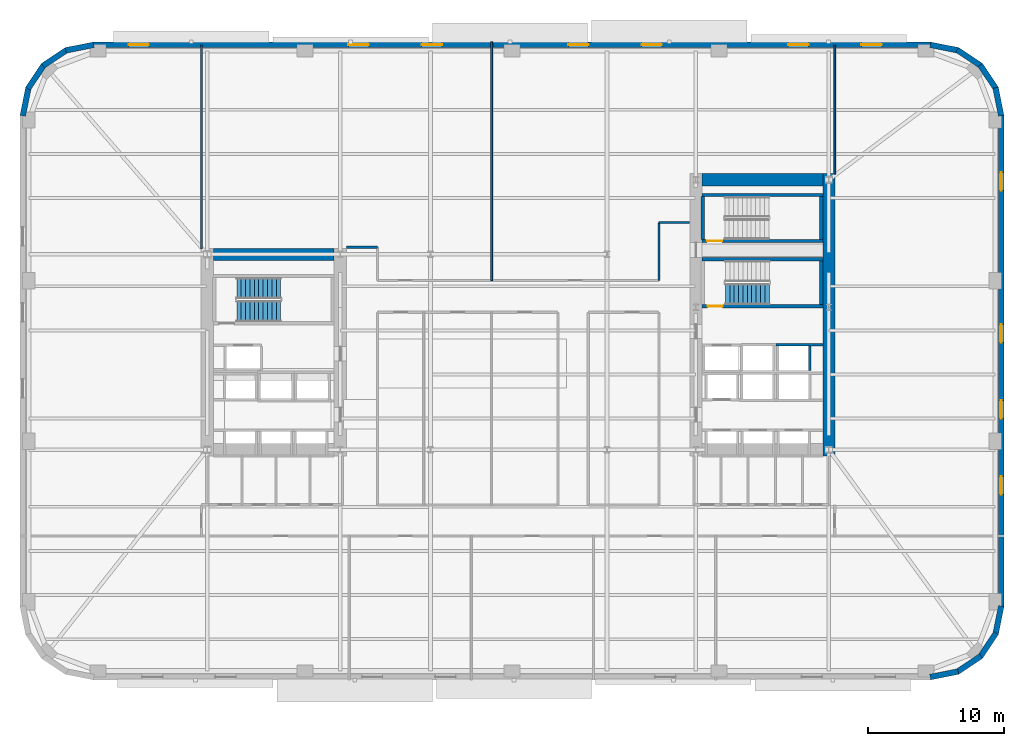
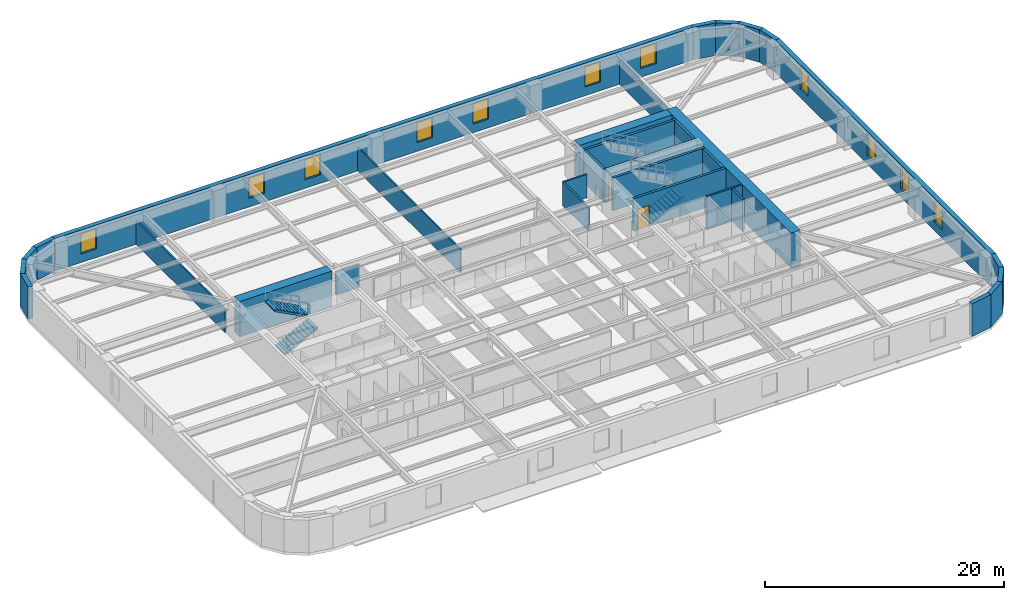
# One storey, part 7 of 14: 32 walls, 11 windows, 3 stair flights, 2 doors, 13 openings, 2 elements without a shape of their own.
"""IFC4 building model written with IfcOpenShell, lengths in metres."""

from ifc_helpers import new_model, si_unit, direction, frame, frame_2d, origin, place, context, subcontext, project, spatial, polyline, rectangle, outline, extrude, material, layer, layer_set, type_object, element, fill, aggregate, save


model = new_model("IFC4")

# Units and contexts
model_context = context("Model", 3, precision=1e-05, world=origin(), true_north=direction((0.0, 1.0)))
body_context = subcontext(model_context, "Body", "Model", "MODEL_VIEW")
ifc_project = project(units=[si_unit("LENGTHUNIT", "METRE"), si_unit("AREAUNIT", "SQUARE_METRE"), si_unit("VOLUMEUNIT", "CUBIC_METRE"), si_unit("PLANEANGLEUNIT", "RADIAN"), si_unit("MASSUNIT", "GRAM", prefix="KILO")], contexts=[model_context])

# Site, building, storey
site_placement = place(None, origin())
site = spatial("IfcSite", under=ifc_project, at=site_placement, CompositionType="ELEMENT")
building_placement = place(site_placement, origin())
building = spatial("IfcBuilding", under=site, at=building_placement, Name="Kolvaren Arena Tower", CompositionType="ELEMENT")
storey_placement = place(building_placement, frame((0.0, 0.0, 90.75)))
storey = spatial("IfcBuildingStorey", under=building, at=storey_placement, Name="L20", CompositionType="ELEMENT", Elevation=90.75)

# Walls
ifc_material_1 = material(Name="Gypsum board acoustic assembly", Category="gypsum")
ifc_layer_1 = layer(ifc_material_1, 0.159912109375)
ifc_layer_set_1 = layer_set([ifc_layer_1], Name="Gypsum board acoustic assembly")
wall_type_1 = type_object("IfcWallType", Name="CORR-160", PredefinedType="PARTITIONING", material=ifc_layer_set_1)
wall_1_placement = place(storey_placement, frame((24.820068359375, 34.3798828125, 0.0), z_axis=(0.0, 0.0, 1.0), x_axis=(1.0, 0.0, 0.0)))
element("IfcWall", 1, at=wall_1_placement, inside=storey, type_object=wall_type_1, Name="Interior Partition Wall (L20)", PredefinedType="PARTITIONING", context=body_context, shape_type="SweptSolid", body=[
    extrude(rectangle(XDim=2.260009765625, YDim=0.159912109375, at=frame_2d((1.1298828125, 0.0))), origin(), (0.0, 0.0, 1.0), 2.389892578125),
])
wall_2_placement = place(storey_placement, frame((47.820068359375, 31.919921875, 0.0), z_axis=(0.0, 0.0, 1.0), x_axis=(0.0, 1.0, 0.0)))
element("IfcWall", 2, at=wall_2_placement, inside=storey, type_object=wall_type_1, Name="Interior Partition Wall (L20)", PredefinedType="PARTITIONING", context=body_context, shape_type="SweptSolid", body=[
    extrude(rectangle(XDim=4.280029296875, YDim=0.159912109375, at=frame_2d((2.14013671875, 0.0))), origin(), (0.0, 0.0, 1.0), 2.389892578125),
])
wall_3_placement = place(storey_placement, frame((47.820068359375, 36.199951171875, 0.0), z_axis=(0.0, 0.0, 1.0), x_axis=(1.0, 0.0, 0.0)))
element("IfcWall", 3, at=wall_3_placement, inside=storey, type_object=wall_type_1, Name="Interior Partition Wall (L20)", PredefinedType="PARTITIONING", context=body_context, shape_type="SweptSolid", body=[
    extrude(rectangle(XDim=2.260009765625, YDim=0.159912109375, at=frame_2d((1.1298828125, 0.0))), origin(), (0.0, 0.0, 1.0), 2.389892578125),
])
ifc_material_2 = material(Name="Concrete 80 MPa", Category="concrete")
ifc_layer_2 = layer(ifc_material_2, 0.89990234375)
ifc_layer_set_2 = layer_set([ifc_layer_2], Name="Concrete 80 MPa")
wall_type_2 = type_object("IfcWallType", Name="CWALL-900", PredefinedType="SHEAR", material=ifc_layer_set_2)
wall_4_placement = place(storey_placement, frame((15.0, 33.85009765625, -0.27001953125), z_axis=(0.0, 0.0, 1.0), x_axis=(1.0, 0.0, 0.0)))
element("IfcWall", 4, at=wall_4_placement, inside=storey, type_object=wall_type_2, Name="Core Shear Wall WC-NORTH (L20)", PredefinedType="SHEAR", context=body_context, shape_type="SweptSolid", body=[
    extrude(rectangle(XDim=8.89990234375, YDim=0.89990234375, at=frame_2d((4.449951171875, 0.0))), origin(), (0.0, 0.0, 1.0), 3.60009765625),
])
wall_5_placement = place(storey_placement, frame((60.35009765625, 19.0, -0.27001953125), z_axis=(0.0, 0.0, 1.0), x_axis=(0.0, 1.0, 0.0)))
element("IfcWall", 5, at=wall_5_placement, inside=storey, type_object=wall_type_2, Name="Core Shear Wall EC-EAST (L20)", PredefinedType="SHEAR", context=body_context, shape_type="SweptSolid", body=[
    extrude(rectangle(XDim=20.800048828125, YDim=0.89990234375, at=frame_2d((10.39990234375, 0.0))), origin(), (0.0, 0.0, 1.0), 3.60009765625),
])
wall_6_placement = place(storey_placement, frame((51.0, 39.35009765625, -0.27001953125), z_axis=(0.0, 0.0, 1.0), x_axis=(1.0, 0.0, 0.0)))
element("IfcWall", 6, at=wall_6_placement, inside=storey, type_object=wall_type_2, Name="Core Shear Wall EC-NORTH (L20)", PredefinedType="SHEAR", context=body_context, shape_type="SweptSolid", body=[
    extrude(rectangle(XDim=8.89990234375, YDim=0.89990234375, at=frame_2d((4.449951171875, 0.0))), origin(), (0.0, 0.0, 1.0), 3.60009765625),
])
ifc_material_3 = material(Name="Precast concrete C50/60", Category="concrete")
ifc_layer_3 = layer(ifc_material_3, 0.419921875)
ifc_layer_set_3 = layer_set([ifc_layer_3], Name="Precast concrete C50/60")
wall_type_3 = type_object("IfcWallType", Name="EXT-PIER1", PredefinedType="SOLIDWALL", material=ifc_layer_set_3)
for number, where, z_axis, x_axis, name in (
    (7, (69.87548828125, 3.1171875, 0.0), (0.0, 0.0, 1.0), (-0.9807762837, -0.195135546048, 0.0), "Exterior Precast Masonry-Frame Wall (L20)"),
    (8, (71.5517578125, 4.256103515625, 0.0), (0.0, 0.0, 1.0), (-0.831515102434, -0.555502146192, 0.0), "Exterior Precast Masonry-Frame Wall (L20)"),
    (9, (72.664306640625, 5.9501953125, 0.0), (0.0, 0.0, 1.0), (-0.555502146192, -0.831515102434, 0.0), "Exterior Precast Masonry-Frame Wall (L20)"),
    (10, (73.0439453125, 7.94091796875, 0.0), (0.0, 0.0, 1.0), (-0.195135546048, -0.9807762837, 0.0), "Exterior Precast Masonry-Frame Wall (L20)"),
):
    element("IfcWall", number, at=place(storey_placement, frame(where, z_axis=z_axis, x_axis=x_axis)), inside=storey, type_object=wall_type_3, Name=name, PredefinedType="SOLIDWALL", context=body_context, shape_type="SweptSolid", body=[
        extrude(rectangle(XDim=2.10693359375, YDim=0.419921875, at=frame_2d((1.053466796875, 0.0))), origin(), (0.0, 0.0, 1.0), 3.330078125),
    ])

# Wall, openings, windows
wall_7_placement = place(storey_placement, frame((73.0400390625, 44.10009765625, 0.0), z_axis=(0.0, 0.0, 1.0), x_axis=(0.0, -1.0, 0.0)))
wall_7 = element("IfcWall", 11, at=wall_7_placement, inside=storey, type_object=wall_type_3, Name="Exterior Precast Masonry-Frame Wall (L20)", PredefinedType="SOLIDWALL", context=body_context, shape_type="SweptSolid", body=[
    extrude(rectangle(XDim=36.2001953125, YDim=0.419921875, at=frame_2d((18.10009765625, 0.0))), origin(), (0.0, 0.0, 1.0), 3.330078125),
])
opening_1_placement = place(wall_7_placement, frame((4.199951171875, 0.0, 0.8798828125)))
opening_1 = element("IfcOpeningElement", 12, at=opening_1_placement, cuts=wall_7, Name="Opening W04", PredefinedType="OPENING", context=body_context, shape_type="SweptSolid", body=[
    extrude(rectangle(XDim=1.35009765625, YDim=2.199951171875, at=frame_2d((0.675048828125, 1.10009765625))), frame((0.0, 0.219970703125, 0.0), z_axis=(0.0, -1.0, 0.0), x_axis=(1.0, 0.0, 0.0)), (0.0, 0.0, 1.0), 0.43994140625),
])
opening_2_placement = place(wall_7_placement, frame((15.39990234375, 0.0, 0.8798828125)))
opening_2 = element("IfcOpeningElement", 13, at=opening_2_placement, cuts=wall_7, Name="Opening W04", PredefinedType="OPENING", context=body_context, shape_type="SweptSolid", body=[
    extrude(rectangle(XDim=1.35009765625, YDim=2.199951171875, at=frame_2d((0.675048828125, 1.10009765625))), frame((0.0, 0.219970703125, 0.0), z_axis=(0.0, -1.0, 0.0), x_axis=(1.0, 0.0, 0.0)), (0.0, 0.0, 1.0), 0.43994140625),
])
opening_3_placement = place(wall_7_placement, frame((21.0, 0.0, 0.8798828125)))
opening_3 = element("IfcOpeningElement", 14, at=opening_3_placement, cuts=wall_7, Name="Opening W04", PredefinedType="OPENING", context=body_context, shape_type="SweptSolid", body=[
    extrude(rectangle(XDim=1.35009765625, YDim=2.199951171875, at=frame_2d((0.675048828125, 1.10009765625))), frame((0.0, 0.219970703125, 0.0), z_axis=(0.0, -1.0, 0.0), x_axis=(1.0, 0.0, 0.0)), (0.0, 0.0, 1.0), 0.43994140625),
])
opening_4_placement = place(wall_7_placement, frame((26.60009765625, 0.0, 0.8798828125)))
opening_4 = element("IfcOpeningElement", 15, at=opening_4_placement, cuts=wall_7, Name="Opening W04", PredefinedType="OPENING", context=body_context, shape_type="SweptSolid", body=[
    extrude(rectangle(XDim=1.35009765625, YDim=2.199951171875, at=frame_2d((0.675048828125, 1.10009765625))), frame((0.0, 0.219970703125, 0.0), z_axis=(0.0, -1.0, 0.0), x_axis=(1.0, 0.0, 0.0)), (0.0, 0.0, 1.0), 0.43994140625),
])
ifc_material_4 = material(Name="Triple-glazed curved-facet corner window", Category="glass")
window_type_1 = type_object("IfcWindowType", Name="WIN-CRN-A", PartitioningType="SINGLE_PANEL", PredefinedType="WINDOW", material=ifc_material_4)
window_1_placement = place(opening_1_placement, origin())
window_1 = element("IfcWindow", 16, at=window_1_placement, inside=storey, type_object=window_type_1, Name="End-Wall Punched Window (L20)", OverallHeight=2.199951171875, OverallWidth=1.35009765625, PartitioningType="SINGLE_PANEL", PredefinedType="WINDOW", context=body_context, shape_type="SweptSolid", body=[
    extrude(rectangle(XDim=1.35009765625, YDim=2.199951171875, at=frame_2d((0.675048828125, 1.10009765625))), frame((0.0, 0.030029296875, 0.0), z_axis=(0.0, -1.0, 0.0), x_axis=(1.0, 0.0, 0.0)), (0.0, 0.0, 1.0), 0.06005859375),
])
fill(opening_1, window_1)
window_2_placement = place(opening_2_placement, origin())
window_2 = element("IfcWindow", 17, at=window_2_placement, inside=storey, type_object=window_type_1, Name="End-Wall Punched Window (L20)", OverallHeight=2.199951171875, OverallWidth=1.35009765625, PartitioningType="SINGLE_PANEL", PredefinedType="WINDOW", context=body_context, shape_type="SweptSolid", body=[
    extrude(rectangle(XDim=1.35009765625, YDim=2.199951171875, at=frame_2d((0.675048828125, 1.10009765625))), frame((0.0, 0.030029296875, 0.0), z_axis=(0.0, -1.0, 0.0), x_axis=(1.0, 0.0, 0.0)), (0.0, 0.0, 1.0), 0.06005859375),
])
fill(opening_2, window_2)
window_3_placement = place(opening_3_placement, origin())
window_3 = element("IfcWindow", 18, at=window_3_placement, inside=storey, type_object=window_type_1, Name="End-Wall Punched Window (L20)", OverallHeight=2.199951171875, OverallWidth=1.35009765625, PartitioningType="SINGLE_PANEL", PredefinedType="WINDOW", context=body_context, shape_type="SweptSolid", body=[
    extrude(rectangle(XDim=1.35009765625, YDim=2.199951171875, at=frame_2d((0.675048828125, 1.10009765625))), frame((0.0, 0.030029296875, 0.0), z_axis=(0.0, -1.0, 0.0), x_axis=(1.0, 0.0, 0.0)), (0.0, 0.0, 1.0), 0.06005859375),
])
fill(opening_3, window_3)
window_4_placement = place(opening_4_placement, origin())
window_4 = element("IfcWindow", 19, at=window_4_placement, inside=storey, type_object=window_type_1, Name="End-Wall Punched Window (L20)", OverallHeight=2.199951171875, OverallWidth=1.35009765625, PartitioningType="SINGLE_PANEL", PredefinedType="WINDOW", context=body_context, shape_type="SweptSolid", body=[
    extrude(rectangle(XDim=1.35009765625, YDim=2.199951171875, at=frame_2d((0.675048828125, 1.10009765625))), frame((0.0, 0.030029296875, 0.0), z_axis=(0.0, -1.0, 0.0), x_axis=(1.0, 0.0, 0.0)), (0.0, 0.0, 1.0), 0.06005859375),
])
fill(opening_4, window_4)

# Walls
for number, where, z_axis, x_axis, name in (
    (20, (72.6328125, 46.12548828125, 0.0), (0.0, 0.0, 1.0), (0.195135546048, -0.9807762837, 0.0), "Exterior Precast Masonry-Frame Wall (L20)"),
    (21, (71.493896484375, 47.8017578125, 0.0), (0.0, 0.0, 1.0), (0.555502146192, -0.831515102434, 0.0), "Exterior Precast Masonry-Frame Wall (L20)"),
    (22, (69.7998046875, 48.914306640625, 0.0), (0.0, 0.0, 1.0), (0.831515102434, -0.555502146192, 0.0), "Exterior Precast Masonry-Frame Wall (L20)"),
    (23, (67.80908203125, 49.2939453125, 0.0), (0.0, 0.0, 1.0), (0.9807762837, -0.195135546048, 0.0), "Exterior Precast Masonry-Frame Wall (L20)"),
):
    element("IfcWall", number, at=place(storey_placement, frame(where, z_axis=z_axis, x_axis=x_axis)), inside=storey, type_object=wall_type_3, Name=name, PredefinedType="SOLIDWALL", context=body_context, shape_type="SweptSolid", body=[
        extrude(rectangle(XDim=2.10693359375, YDim=0.419921875, at=frame_2d((1.053466796875, 0.0))), origin(), (0.0, 0.0, 1.0), 3.330078125),
    ])

# Wall, openings, windows
wall_8_placement = place(storey_placement, frame((6.14990234375, 49.2900390625, 0.0), z_axis=(0.0, 0.0, 1.0), x_axis=(1.0, 0.0, 0.0)))
wall_8 = element("IfcWall", 24, at=wall_8_placement, inside=storey, type_object=wall_type_3, Name="Exterior Precast Masonry-Frame Wall (L20)", PredefinedType="SOLIDWALL", context=body_context, shape_type="SweptSolid", body=[
    extrude(rectangle(XDim=61.7001953125, YDim=0.419921875, at=frame_2d((30.85009765625, 0.0))), origin(), (0.0, 0.0, 1.0), 3.330078125),
])
opening_5_placement = place(wall_8_placement, frame((2.60009765625, 0.0, 0.8798828125)))
opening_5 = element("IfcOpeningElement", 25, at=opening_5_placement, cuts=wall_8, Name="Opening W03", PredefinedType="OPENING", context=body_context, shape_type="SweptSolid", body=[
    extrude(rectangle(XDim=1.5, YDim=2.050048828125, at=frame_2d((0.75, 1.02490234375))), frame((0.0, 0.219970703125, 0.0), z_axis=(0.0, -1.0, 0.0), x_axis=(1.0, 0.0, 0.0)), (0.0, 0.0, 1.0), 0.43994140625),
])
opening_6_placement = place(wall_8_placement, frame((18.800048828125, 0.0, 0.8798828125)))
opening_6 = element("IfcOpeningElement", 26, at=opening_6_placement, cuts=wall_8, Name="Opening W03", PredefinedType="OPENING", context=body_context, shape_type="SweptSolid", body=[
    extrude(rectangle(XDim=1.5, YDim=2.050048828125, at=frame_2d((0.75, 1.02490234375))), frame((0.0, 0.219970703125, 0.0), z_axis=(0.0, -1.0, 0.0), x_axis=(1.0, 0.0, 0.0)), (0.0, 0.0, 1.0), 0.43994140625),
])
opening_7_placement = place(wall_8_placement, frame((24.199951171875, 0.0, 0.8798828125)))
opening_7 = element("IfcOpeningElement", 27, at=opening_7_placement, cuts=wall_8, Name="Opening W03", PredefinedType="OPENING", context=body_context, shape_type="SweptSolid", body=[
    extrude(rectangle(XDim=1.5, YDim=2.050048828125, at=frame_2d((0.75, 1.02490234375))), frame((0.0, 0.219970703125, 0.0), z_axis=(0.0, -1.0, 0.0), x_axis=(1.0, 0.0, 0.0)), (0.0, 0.0, 1.0), 0.43994140625),
])
opening_8_placement = place(wall_8_placement, frame((35.0, 0.0, 0.8798828125)))
opening_8 = element("IfcOpeningElement", 28, at=opening_8_placement, cuts=wall_8, Name="Opening W03", PredefinedType="OPENING", context=body_context, shape_type="SweptSolid", body=[
    extrude(rectangle(XDim=1.5, YDim=2.050048828125, at=frame_2d((0.75, 1.02490234375))), frame((0.0, 0.219970703125, 0.0), z_axis=(0.0, -1.0, 0.0), x_axis=(1.0, 0.0, 0.0)), (0.0, 0.0, 1.0), 0.43994140625),
])
opening_9_placement = place(wall_8_placement, frame((40.39990234375, 0.0, 0.8798828125)))
opening_9 = element("IfcOpeningElement", 29, at=opening_9_placement, cuts=wall_8, Name="Opening W03", PredefinedType="OPENING", context=body_context, shape_type="SweptSolid", body=[
    extrude(rectangle(XDim=1.5, YDim=2.050048828125, at=frame_2d((0.75, 1.02490234375))), frame((0.0, 0.219970703125, 0.0), z_axis=(0.0, -1.0, 0.0), x_axis=(1.0, 0.0, 0.0)), (0.0, 0.0, 1.0), 0.43994140625),
])
opening_10_placement = place(wall_8_placement, frame((51.199951171875, 0.0, 0.8798828125)))
opening_10 = element("IfcOpeningElement", 30, at=opening_10_placement, cuts=wall_8, Name="Opening W03", PredefinedType="OPENING", context=body_context, shape_type="SweptSolid", body=[
    extrude(rectangle(XDim=1.5, YDim=2.050048828125, at=frame_2d((0.75, 1.02490234375))), frame((0.0, 0.219970703125, 0.0), z_axis=(0.0, -1.0, 0.0), x_axis=(1.0, 0.0, 0.0)), (0.0, 0.0, 1.0), 0.43994140625),
])
opening_11_placement = place(wall_8_placement, frame((56.60009765625, 0.0, 0.8798828125)))
opening_11 = element("IfcOpeningElement", 31, at=opening_11_placement, cuts=wall_8, Name="Opening W03", PredefinedType="OPENING", context=body_context, shape_type="SweptSolid", body=[
    extrude(rectangle(XDim=1.5, YDim=2.050048828125, at=frame_2d((0.75, 1.02490234375))), frame((0.0, 0.219970703125, 0.0), z_axis=(0.0, -1.0, 0.0), x_axis=(1.0, 0.0, 0.0)), (0.0, 0.0, 1.0), 0.43994140625),
])
ifc_material_5 = material(Name="Triple-glazed low-E aluminium window", Category="aluminium")
window_type_2 = type_object("IfcWindowType", Name="WIN-OFF-C", PartitioningType="SINGLE_PANEL", PredefinedType="WINDOW", material=ifc_material_5)
window_5_placement = place(opening_5_placement, origin())
window_5 = element("IfcWindow", 32, at=window_5_placement, inside=storey, type_object=window_type_2, Name="Punched Precast-Pier Window (L20)", OverallHeight=2.050048828125, OverallWidth=1.5, PartitioningType="SINGLE_PANEL", PredefinedType="WINDOW", context=body_context, shape_type="SweptSolid", body=[
    extrude(rectangle(XDim=1.5, YDim=2.050048828125, at=frame_2d((0.75, 1.02490234375))), frame((0.0, 0.030029296875, 0.0), z_axis=(0.0, -1.0, 0.0), x_axis=(1.0, 0.0, 0.0)), (0.0, 0.0, 1.0), 0.06005859375),
])
fill(opening_5, window_5)
window_6_placement = place(opening_6_placement, origin())
window_6 = element("IfcWindow", 33, at=window_6_placement, inside=storey, type_object=window_type_2, Name="Punched Precast-Pier Window (L20)", OverallHeight=2.050048828125, OverallWidth=1.5, PartitioningType="SINGLE_PANEL", PredefinedType="WINDOW", context=body_context, shape_type="SweptSolid", body=[
    extrude(rectangle(XDim=1.5, YDim=2.050048828125, at=frame_2d((0.75, 1.02490234375))), frame((0.0, 0.030029296875, 0.0), z_axis=(0.0, -1.0, 0.0), x_axis=(1.0, 0.0, 0.0)), (0.0, 0.0, 1.0), 0.06005859375),
])
fill(opening_6, window_6)
window_7_placement = place(opening_7_placement, origin())
window_7 = element("IfcWindow", 34, at=window_7_placement, inside=storey, type_object=window_type_2, Name="Punched Precast-Pier Window (L20)", OverallHeight=2.050048828125, OverallWidth=1.5, PartitioningType="SINGLE_PANEL", PredefinedType="WINDOW", context=body_context, shape_type="SweptSolid", body=[
    extrude(rectangle(XDim=1.5, YDim=2.050048828125, at=frame_2d((0.75, 1.02490234375))), frame((0.0, 0.030029296875, 0.0), z_axis=(0.0, -1.0, 0.0), x_axis=(1.0, 0.0, 0.0)), (0.0, 0.0, 1.0), 0.06005859375),
])
fill(opening_7, window_7)
window_8_placement = place(opening_8_placement, origin())
window_8 = element("IfcWindow", 35, at=window_8_placement, inside=storey, type_object=window_type_2, Name="Punched Precast-Pier Window (L20)", OverallHeight=2.050048828125, OverallWidth=1.5, PartitioningType="SINGLE_PANEL", PredefinedType="WINDOW", context=body_context, shape_type="SweptSolid", body=[
    extrude(rectangle(XDim=1.5, YDim=2.050048828125, at=frame_2d((0.75, 1.02490234375))), frame((0.0, 0.030029296875, 0.0), z_axis=(0.0, -1.0, 0.0), x_axis=(1.0, 0.0, 0.0)), (0.0, 0.0, 1.0), 0.06005859375),
])
fill(opening_8, window_8)
window_9_placement = place(opening_9_placement, origin())
window_9 = element("IfcWindow", 36, at=window_9_placement, inside=storey, type_object=window_type_2, Name="Punched Precast-Pier Window (L20)", OverallHeight=2.050048828125, OverallWidth=1.5, PartitioningType="SINGLE_PANEL", PredefinedType="WINDOW", context=body_context, shape_type="SweptSolid", body=[
    extrude(rectangle(XDim=1.5, YDim=2.050048828125, at=frame_2d((0.75, 1.02490234375))), frame((0.0, 0.030029296875, 0.0), z_axis=(0.0, -1.0, 0.0), x_axis=(1.0, 0.0, 0.0)), (0.0, 0.0, 1.0), 0.06005859375),
])
fill(opening_9, window_9)
window_10_placement = place(opening_10_placement, origin())
window_10 = element("IfcWindow", 37, at=window_10_placement, inside=storey, type_object=window_type_2, Name="Punched Precast-Pier Window (L20)", OverallHeight=2.050048828125, OverallWidth=1.5, PartitioningType="SINGLE_PANEL", PredefinedType="WINDOW", context=body_context, shape_type="SweptSolid", body=[
    extrude(rectangle(XDim=1.5, YDim=2.050048828125, at=frame_2d((0.75, 1.02490234375))), frame((0.0, 0.030029296875, 0.0), z_axis=(0.0, -1.0, 0.0), x_axis=(1.0, 0.0, 0.0)), (0.0, 0.0, 1.0), 0.06005859375),
])
fill(opening_10, window_10)
window_11_placement = place(opening_11_placement, origin())
window_11 = element("IfcWindow", 38, at=window_11_placement, inside=storey, type_object=window_type_2, Name="Punched Precast-Pier Window (L20)", OverallHeight=2.050048828125, OverallWidth=1.5, PartitioningType="SINGLE_PANEL", PredefinedType="WINDOW", context=body_context, shape_type="SweptSolid", body=[
    extrude(rectangle(XDim=1.5, YDim=2.050048828125, at=frame_2d((0.75, 1.02490234375))), frame((0.0, 0.030029296875, 0.0), z_axis=(0.0, -1.0, 0.0), x_axis=(1.0, 0.0, 0.0)), (0.0, 0.0, 1.0), 0.06005859375),
])
fill(opening_11, window_11)

# Walls
for number, where, z_axis, x_axis, name in (
    (39, (4.12451171875, 48.8828125, 0.0), (0.0, 0.0, 1.0), (0.9807762837, 0.195135546048, 0.0), "Exterior Precast Masonry-Frame Wall (L20)"),
    (40, (2.4482421875, 47.743896484375, 0.0), (0.0, 0.0, 1.0), (0.831515102434, 0.555502146192, 0.0), "Exterior Precast Masonry-Frame Wall (L20)"),
    (41, (1.335693359375, 46.0498046875, 0.0), (0.0, 0.0, 1.0), (0.555502146192, 0.831515102434, 0.0), "Exterior Precast Masonry-Frame Wall (L20)"),
    (42, (0.9560546875, 44.05908203125, 0.0), (0.0, 0.0, 1.0), (0.195135546048, 0.9807762837, 0.0), "Exterior Precast Masonry-Frame Wall (L20)"),
):
    element("IfcWall", number, at=place(storey_placement, frame(where, z_axis=z_axis, x_axis=x_axis)), inside=storey, type_object=wall_type_3, Name=name, PredefinedType="SOLIDWALL", context=body_context, shape_type="SweptSolid", body=[
        extrude(rectangle(XDim=2.10693359375, YDim=0.419921875, at=frame_2d((1.053466796875, 0.0))), origin(), (0.0, 0.0, 1.0), 3.330078125),
    ])
ifc_material_6 = material(Name="Gypsum board partition assembly", Category="gypsum")
ifc_layer_4 = layer(ifc_material_6, 0.135009765625)
ifc_layer_set_4 = layer_set([ifc_layer_4], Name="Gypsum board partition assembly")
wall_type_4 = type_object("IfcWallType", Name="PART-135", PredefinedType="PARTITIONING", material=ifc_layer_set_4)
wall_9_placement = place(storey_placement, frame((35.5, 31.919921875, 0.0), z_axis=(0.0, 0.0, 1.0), x_axis=(0.0, 1.0, 0.0)))
element("IfcWall", 43, at=wall_9_placement, inside=storey, type_object=wall_type_4, Name="Interior Partition Wall (L20)", PredefinedType="PARTITIONING", context=body_context, shape_type="SweptSolid", body=[
    extrude(rectangle(XDim=17.580078125, YDim=0.135009765625, at=frame_2d((8.7900390625, 0.0))), origin(), (0.0, 0.0, 1.0), 2.389892578125),
])
wall_10_placement = place(storey_placement, frame((14.1201171875, 34.25, 0.0), z_axis=(0.0, 0.0, 1.0), x_axis=(0.0, 1.0, 0.0)))
element("IfcWall", 44, at=wall_10_placement, inside=storey, type_object=wall_type_4, Name="Interior Partition Wall (L20)", PredefinedType="PARTITIONING", context=body_context, shape_type="SweptSolid", body=[
    extrude(rectangle(XDim=15.010009765625, YDim=0.135009765625, at=frame_2d((7.5048828125, 0.0))), origin(), (0.0, 0.0, 1.0), 2.389892578125),
])
wall_11_placement = place(storey_placement, frame((60.780029296875, 39.75, 0.0), z_axis=(0.0, 0.0, 1.0), x_axis=(0.0, 1.0, 0.0)))
element("IfcWall", 45, at=wall_11_placement, inside=storey, type_object=wall_type_4, Name="Interior Partition Wall (L20)", PredefinedType="PARTITIONING", context=body_context, shape_type="SweptSolid", body=[
    extrude(rectangle(XDim=9.510009765625, YDim=0.135009765625, at=frame_2d((4.7548828125, 0.0))), origin(), (0.0, 0.0, 1.0), 2.389892578125),
])

# Wall, opening, door
ifc_material_7 = material(Name="Concrete 45 MPa", Category="concrete")
ifc_layer_5 = layer(ifc_material_7, 0.25)
ifc_layer_set_5 = layer_set([ifc_layer_5], Name="Concrete 45 MPa")
wall_type_5 = type_object("IfcWallType", Name="SHAFT-250", PredefinedType="SOLIDWALL", material=ifc_layer_set_5)
wall_12_placement = place(storey_placement, frame((59.89990234375, 30.030029296875, 0.0), z_axis=(0.0, 0.0, 1.0), x_axis=(-1.0, 0.0, 0.0)))
wall_12 = element("IfcWall", 46, at=wall_12_placement, inside=storey, type_object=wall_type_5, Name="Core Shaft Wall (L20)", PredefinedType="SOLIDWALL", context=body_context, shape_type="SweptSolid", body=[
    extrude(rectangle(XDim=8.89990234375, YDim=0.239990234375, at=frame_2d((4.449951171875, 0.0))), origin(), (0.0, 0.0, 1.0), 3.330078125),
])
opening_12_placement = place(wall_12_placement, frame((7.3798828125, 0.0, 0.0)))
opening_12 = element("IfcOpeningElement", 47, at=opening_12_placement, cuts=wall_12, Name="Opening D03", PredefinedType="OPENING", context=body_context, shape_type="SweptSolid", body=[
    extrude(rectangle(XDim=1.10009765625, YDim=2.14990234375, at=frame_2d((0.550048828125, 1.074951171875))), frame((0.0, 0.1298828125, 0.0), z_axis=(0.0, -1.0, 0.0), x_axis=(1.0, 0.0, 0.0)), (0.0, 0.0, 1.0), 0.260009765625),
])
ifc_material_8 = material(Name="Fire-rated steel exit stair door", Category="steel")
door_type = type_object("IfcDoorType", Name="DOOR-ST-110", OperationType="NOTDEFINED", PredefinedType="DOOR", material=ifc_material_8)
door_1_placement = place(opening_12_placement, origin())
door_1 = element("IfcDoor", 48, at=door_1_placement, inside=storey, type_object=door_type, Name="Stair ST-E1 Fire Door (L20)", OperationType="SINGLE_SWING_LEFT", OverallHeight=2.14990234375, OverallWidth=1.10009765625, PredefinedType="DOOR", context=body_context, shape_type="SweptSolid", body=[
    extrude(rectangle(XDim=1.10009765625, YDim=2.14990234375, at=frame_2d((0.550048828125, 1.074951171875))), frame((0.0, 0.02490234375, 0.0), z_axis=(0.0, -1.0, 0.0), x_axis=(1.0, 0.0, 0.0)), (0.0, 0.0, 1.0), 0.050048828125),
])
fill(opening_12, door_1)

# Walls
wall_13_placement = place(storey_placement, frame((51.0, 33.5, 0.0), z_axis=(0.0, 0.0, 1.0), x_axis=(1.0, 0.0, 0.0)))
element("IfcWall", 49, at=wall_13_placement, inside=storey, type_object=wall_type_5, Name="Core Shaft Wall (L20)", PredefinedType="SOLIDWALL", context=body_context, shape_type="SweptSolid", body=[
    extrude(rectangle(XDim=8.89990234375, YDim=0.239990234375, at=frame_2d((4.449951171875, 0.0))), origin(), (0.0, 0.0, 1.0), 3.330078125),
])
wall_14_placement = place(storey_placement, frame((59.780029296875, 30.14990234375, 0.0), z_axis=(0.0, 0.0, 1.0), x_axis=(0.0, 1.0, 0.0)))
element("IfcWall", 50, at=wall_14_placement, inside=storey, type_object=wall_type_5, Name="Core Shaft Wall (L20)", PredefinedType="SOLIDWALL", context=body_context, shape_type="SweptSolid", body=[
    extrude(rectangle(XDim=3.22998046875, YDim=0.239990234375, at=frame_2d((1.614990234375, 0.0))), origin(), (0.0, 0.0, 1.0), 3.330078125),
])

# Wall, opening, door
wall_15_placement = place(storey_placement, frame((59.89990234375, 34.830078125, 0.0), z_axis=(0.0, 0.0, 1.0), x_axis=(-1.0, 0.0, 0.0)))
wall_15 = element("IfcWall", 51, at=wall_15_placement, inside=storey, type_object=wall_type_5, Name="Core Shaft Wall (L20)", PredefinedType="SOLIDWALL", context=body_context, shape_type="SweptSolid", body=[
    extrude(rectangle(XDim=8.89990234375, YDim=0.239990234375, at=frame_2d((4.449951171875, 0.0))), origin(), (0.0, 0.0, 1.0), 3.330078125),
])
opening_13_placement = place(wall_15_placement, frame((7.419921875, 0.0, 0.0)))
opening_13 = element("IfcOpeningElement", 52, at=opening_13_placement, cuts=wall_15, Name="Opening D03", PredefinedType="OPENING", context=body_context, shape_type="SweptSolid", body=[
    extrude(rectangle(XDim=1.10009765625, YDim=2.14990234375, at=frame_2d((0.550048828125, 1.074951171875))), frame((0.0, 0.1298828125, 0.0), z_axis=(0.0, -1.0, 0.0), x_axis=(1.0, 0.0, 0.0)), (0.0, 0.0, 1.0), 0.260009765625),
])
door_2_placement = place(opening_13_placement, origin())
door_2 = element("IfcDoor", 53, at=door_2_placement, inside=storey, type_object=door_type, Name="Stair ST-E2 Fire Door (L20)", OperationType="SINGLE_SWING_LEFT", OverallHeight=2.14990234375, OverallWidth=1.10009765625, PredefinedType="DOOR", context=body_context, shape_type="SweptSolid", body=[
    extrude(rectangle(XDim=1.10009765625, YDim=2.14990234375, at=frame_2d((0.550048828125, 1.074951171875))), frame((0.0, 0.02490234375, 0.0), z_axis=(0.0, -1.0, 0.0), x_axis=(1.0, 0.0, 0.0)), (0.0, 0.0, 1.0), 0.050048828125),
])
fill(opening_13, door_2)

# Walls
wall_16_placement = place(storey_placement, frame((51.0, 38.219970703125, 0.0), z_axis=(0.0, 0.0, 1.0), x_axis=(1.0, 0.0, 0.0)))
element("IfcWall", 54, at=wall_16_placement, inside=storey, type_object=wall_type_5, Name="Core Shaft Wall (L20)", PredefinedType="SOLIDWALL", context=body_context, shape_type="SweptSolid", body=[
    extrude(rectangle(XDim=8.89990234375, YDim=0.239990234375, at=frame_2d((4.449951171875, 0.0))), origin(), (0.0, 0.0, 1.0), 3.330078125),
])
for number, where, z_axis, x_axis, name in (
    (55, (51.06005859375, 34.949951171875, 0.0), (0.0, 0.0, 1.0), (0.0, 1.0, 0.0), "Core Shaft Wall (L20)"),
    (56, (59.780029296875, 34.949951171875, 0.0), (0.0, 0.0, 1.0), (0.0, 1.0, 0.0), "Core Shaft Wall (L20)"),
):
    element("IfcWall", number, at=place(storey_placement, frame(where, z_axis=z_axis, x_axis=x_axis)), inside=storey, type_object=wall_type_5, Name=name, PredefinedType="SOLIDWALL", context=body_context, shape_type="SweptSolid", body=[
        extrude(rectangle(XDim=3.150146484375, YDim=0.239990234375, at=frame_2d((1.5751953125, 0.0))), origin(), (0.0, 0.0, 1.0), 3.330078125),
    ])
wall_17_placement = place(storey_placement, frame((56.43994140625, 27.205078125, 0.0), z_axis=(0.0, 0.0, 1.0), x_axis=(1.0, 0.0, 0.0)))
element("IfcWall", 57, at=wall_17_placement, inside=storey, type_object=wall_type_5, Name="Core Shaft Wall (L20)", PredefinedType="SOLIDWALL", context=body_context, shape_type="SweptSolid", body=[
    extrude(rectangle(XDim=3.4599609375, YDim=0.179931640625, at=frame_2d((1.72998046875, 0.0))), origin(), (0.0, 0.0, 1.0), 3.330078125),
])
wall_18_placement = place(storey_placement, frame((58.93994140625, 25.284912109375, 0.0), z_axis=(0.0, 0.0, 1.0), x_axis=(0.0, 1.0, 0.0)))
element("IfcWall", 58, at=wall_18_placement, inside=storey, type_object=wall_type_5, Name="Core Shaft Wall (L20)", PredefinedType="SOLIDWALL", context=body_context, shape_type="SweptSolid", body=[
    extrude(rectangle(XDim=1.830078125, YDim=0.179931640625, at=frame_2d((0.9150390625, 0.0))), origin(), (0.0, 0.0, 1.0), 3.330078125),
])

# Stair, stair flights
stair_type = type_object("IfcStairType", Name="STAIR-CORE-165", PredefinedType="HALF_TURN_STAIR", material=ifc_material_7)
stair_1_placement = place(storey_placement, origin())
stair_1 = element("IfcStair", 59, at=stair_1_placement, inside=storey, type_object=stair_type, Name="L20 ST-W1", PredefinedType="HALF_TURN_STAIR")
stair_flight_type = type_object("IfcStairFlightType", Name="FLT-165", PredefinedType="STRAIGHT", material=ifc_material_7)
stair_flight_1_placement = place(storey_placement, frame((16.719970703125, 29.669921875, 0.0), z_axis=(0.0, 0.0, 1.0), x_axis=(1.0, 0.0, 0.0)))
stair_flight_1 = element("IfcStairFlight", 60, at=stair_flight_1_placement, type_object=stair_flight_type, Name="ST-W1 flight 1", NumberOfRisers=11, NumberOfTreads=10, PredefinedType="STRAIGHT", RiserHeight=0.170454545, TreadLength=0.324, context=body_context, shape_type="SweptSolid", body=[
    extrude(outline(polyline([(0.0, 0.0), (0.0, 0.17041015625), (0.323974609375, 0.17041015625), (0.323974609375, 0.3408203125), (0.64794921875, 0.3408203125), (0.64794921875, 0.511474609375), (0.971923828125, 0.511474609375), (0.971923828125, 0.681884765625), (1.2958984375, 0.681884765625), (1.2958984375, 0.852294921875), (1.6201171875, 0.852294921875), (1.6201171875, 1.022705078125), (1.944091796875, 1.022705078125), (1.944091796875, 1.193115234375), (2.26806640625, 1.193115234375), (2.26806640625, 1.363525390625), (2.592041015625, 1.363525390625), (2.592041015625, 1.5341796875), (2.916015625, 1.5341796875), (2.916015625, 1.70458984375), (3.239990234375, 1.70458984375), (3.239990234375, 1.875), (3.239990234375, 1.53515625), (0.322021484375, 0.0), (0.0, 0.0)])), frame((0.0, 0.77001953125, 0.0), z_axis=(0.0, -1.0, 0.0), x_axis=(1.0, 0.0, 0.0)), (0.0, 0.0, 1.0), 1.5400390625),
])
stair_flight_2_placement = place(storey_placement, frame((19.9599609375, 31.360107421875, 1.875), z_axis=(0.0, 0.0, 1.0), x_axis=(-1.0, 0.0, 0.0)))
stair_flight_2 = element("IfcStairFlight", 61, at=stair_flight_2_placement, type_object=stair_flight_type, Name="ST-W1 flight 2", NumberOfRisers=11, NumberOfTreads=10, PredefinedType="STRAIGHT", RiserHeight=0.170454545, TreadLength=0.324, context=body_context, shape_type="SweptSolid", body=[
    extrude(outline(polyline([(0.0, 0.0), (0.0, 0.17041015625), (0.323974609375, 0.17041015625), (0.323974609375, 0.3408203125), (0.64794921875, 0.3408203125), (0.64794921875, 0.511474609375), (0.971923828125, 0.511474609375), (0.971923828125, 0.681884765625), (1.2958984375, 0.681884765625), (1.2958984375, 0.852294921875), (1.6201171875, 0.852294921875), (1.6201171875, 1.022705078125), (1.944091796875, 1.022705078125), (1.944091796875, 1.193115234375), (2.26806640625, 1.193115234375), (2.26806640625, 1.363525390625), (2.592041015625, 1.363525390625), (2.592041015625, 1.5341796875), (2.916015625, 1.5341796875), (2.916015625, 1.70458984375), (3.239990234375, 1.70458984375), (3.239990234375, 1.875), (3.239990234375, 1.53515625), (0.322021484375, 0.0), (0.0, 0.0)])), frame((0.0, 0.77001953125, 0.0), z_axis=(0.0, -1.0, 0.0), x_axis=(1.0, 0.0, 0.0)), (0.0, 0.0, 1.0), 1.5400390625),
])
aggregate(stair_1, [stair_flight_1, stair_flight_2])

# Stair, stair flight
stair_2_placement = place(storey_placement, origin())
stair_2 = element("IfcStair", 62, at=stair_2_placement, inside=storey, type_object=stair_type, Name="L20 ST-E1", PredefinedType="HALF_TURN_STAIR")
stair_flight_3_placement = place(storey_placement, frame((52.719970703125, 30.919921875, 0.0), z_axis=(0.0, 0.0, 1.0), x_axis=(1.0, 0.0, 0.0)))
stair_flight_3 = element("IfcStairFlight", 63, at=stair_flight_3_placement, type_object=stair_flight_type, Name="ST-E1 flight 1", NumberOfRisers=11, NumberOfTreads=10, PredefinedType="STRAIGHT", RiserHeight=0.170454545, TreadLength=0.324, context=body_context, shape_type="SweptSolid", body=[
    extrude(outline(polyline([(0.0, 0.0), (0.0, 0.17041015625), (0.323974609375, 0.17041015625), (0.323974609375, 0.3408203125), (0.64794921875, 0.3408203125), (0.64794921875, 0.511474609375), (0.971923828125, 0.511474609375), (0.971923828125, 0.681884765625), (1.2958984375, 0.681884765625), (1.2958984375, 0.852294921875), (1.6201171875, 0.852294921875), (1.6201171875, 1.022705078125), (1.944091796875, 1.022705078125), (1.944091796875, 1.193115234375), (2.26806640625, 1.193115234375), (2.26806640625, 1.363525390625), (2.592041015625, 1.363525390625), (2.592041015625, 1.5341796875), (2.916015625, 1.5341796875), (2.916015625, 1.70458984375), (3.239990234375, 1.70458984375), (3.239990234375, 1.875), (3.239990234375, 1.53515625), (0.322021484375, 0.0), (0.0, 0.0)])), frame((0.0, 0.77001953125, 0.0), z_axis=(0.0, -1.0, 0.0), x_axis=(1.0, 0.0, 0.0)), (0.0, 0.0, 1.0), 1.5400390625),
])
aggregate(stair_2, [stair_flight_3])

save(model, "model.ifc")
